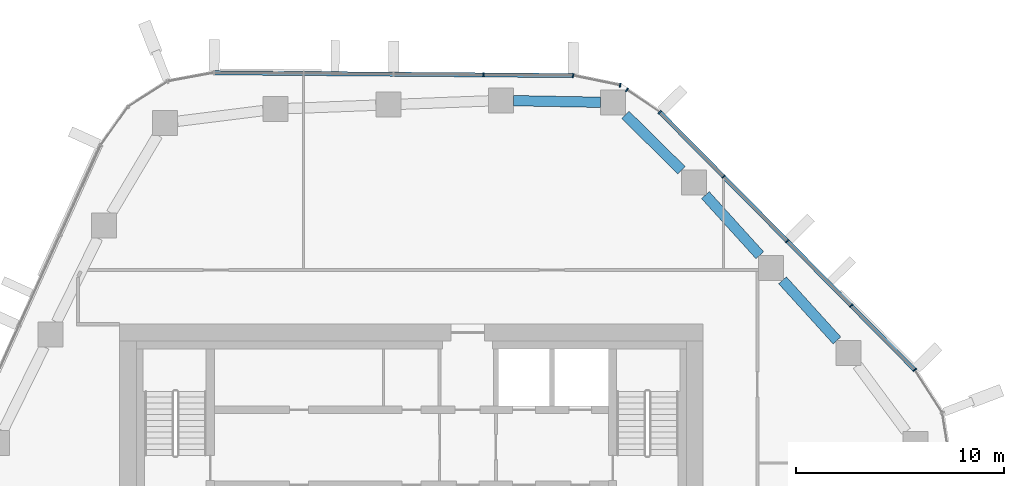
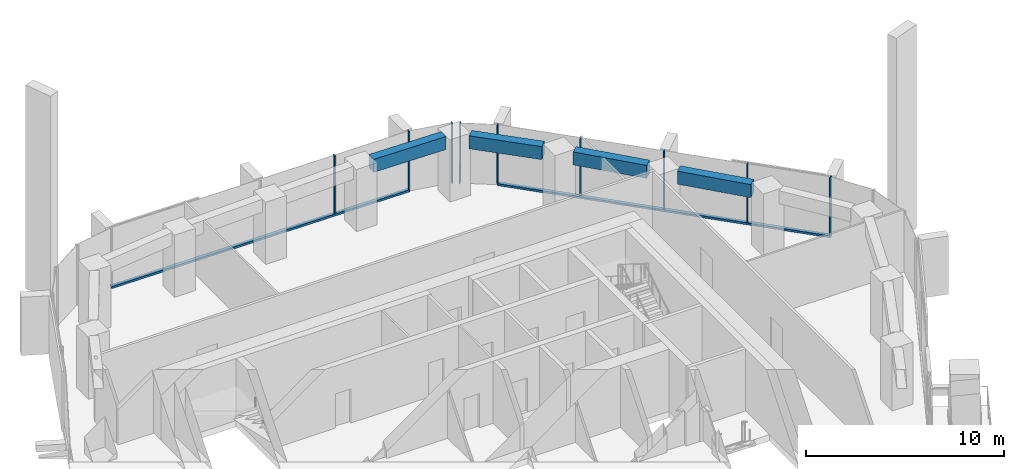
# One storey, part 6 of 18: 11 members, 4 beams, 5 elements without a shape of their own.
"""IFC4 building model written with IfcOpenShell, lengths in metres."""

from ifc_helpers import new_model, si_unit, direction, frame, origin, origin_2d, place, context, subcontext, project, spatial, rectangle, extrude, material, layer, layer_set, material_profile, profile_set, type_object, element, aggregate, save


model = new_model("IFC4")

# Units and contexts
model_context = context("Model", 3, precision=1e-05, world=origin(), true_north=direction((0.0, 1.0)))
body_context = subcontext(model_context, "Body", "Model", "MODEL_VIEW")
ifc_project = project(units=[si_unit("LENGTHUNIT", "METRE"), si_unit("AREAUNIT", "SQUARE_METRE"), si_unit("VOLUMEUNIT", "CUBIC_METRE"), si_unit("PLANEANGLEUNIT", "RADIAN"), si_unit("MASSUNIT", "GRAM", prefix="KILO")], contexts=[model_context])

# Site, building, storey
site_placement = place(None, origin())
site = spatial("IfcSite", under=ifc_project, at=site_placement, CompositionType="ELEMENT")
building_placement = place(site_placement, origin())
building = spatial("IfcBuilding", under=site, at=building_placement, Name="Dongbaek Canopy Tower", CompositionType="ELEMENT")
storey_placement = place(building_placement, frame((0.0, 0.0, 171.199951171875)))
storey = spatial("IfcBuildingStorey", under=building, at=storey_placement, Name="L37", CompositionType="ELEMENT", Elevation=171.199951171875)

# Curtain wall, member
ifc_material_1 = material(Name="Aluminium 6063-T6 pale anodised", Category="aluminium")
ifc_layer = layer(ifc_material_1, 0.199951171875)
ifc_layer_set = layer_set([ifc_layer], Name="CW-1 unitised tower curtain wall")
curtain_wall_type = type_object("IfcCurtainWallType", Name="CW-1 unitised tower curtain wall", PredefinedType="NOTDEFINED", material=ifc_layer_set)
curtain_wall_1_placement = place(storey_placement, origin())
curtain_wall_1 = element("IfcCurtainWall", 1, at=curtain_wall_1_placement, inside=storey, type_object=curtain_wall_type, Name="CW-1 curtain wall K0.1", PredefinedType="NOTDEFINED")
ifc_material_2 = material(Name="Aluminium 6063-T6 pale anodised", Category="aluminium")
ifc_material_profile_1 = material_profile(ifc_material_2, rectangle(XDim=0.199951171875, YDim=0.06005859375, at=origin_2d()), Name="CW-1 mullion 60 x 200")
ifc_profile_set_1 = profile_set([ifc_material_profile_1], Name="Aluminium 6063-T6 pale anodised")
member_type_1 = type_object("IfcMemberType", Name="CW-1 mullion 60 x 200", PredefinedType="MULLION", material=ifc_profile_set_1)
member_1_placement = place(storey_placement, frame((24.14794921875, 8.80712890625, 0.0), z_axis=(0.0, 0.0, 1.0), x_axis=(0.840961641998, 0.541094739105, 0.0)))
member_1 = element("IfcMember", 2, at=member_1_placement, type_object=member_type_1, Name="CW-1 mullion K0.1.4", PredefinedType="MULLION", context=body_context, shape_type="SweptSolid", body=[
    extrude(rectangle(XDim=0.199951171875, YDim=0.06005859375, at=origin_2d()), origin(), (0.0, 0.0, 1.0), 3.699951171875),
])
aggregate(curtain_wall_1, [member_1])

# Curtain wall, members
curtain_wall_2_placement = place(storey_placement, origin())
curtain_wall_2 = element("IfcCurtainWall", 3, at=curtain_wall_2_placement, inside=storey, type_object=curtain_wall_type, Name="CW-1 curtain wall F0.1", PredefinedType="NOTDEFINED")
member_2_placement = place(storey_placement, frame((21.094970703125, 11.893798828125, 0.1201171875), z_axis=(0.0, 0.0, 1.0), x_axis=(0.710991357912, 0.703200745857, 0.0)))
member_2 = element("IfcMember", 4, at=member_2_placement, type_object=member_type_1, Name="CW-1 mullion F0.1.2", PredefinedType="MULLION", context=body_context, shape_type="SweptSolid", body=[
    extrude(rectangle(XDim=0.199951171875, YDim=0.06005859375, at=origin_2d()), origin(), (0.0, 0.0, 1.0), 3.579833984375),
])
member_3_placement = place(storey_placement, frame((18.034912109375, 14.988037109375, 0.1201171875), z_axis=(0.0, 0.0, 1.0), x_axis=(0.710991357912, 0.703200745857, 0.0)))
member_3 = element("IfcMember", 5, at=member_3_placement, type_object=member_type_1, Name="CW-1 mullion F0.1.3", PredefinedType="MULLION", context=body_context, shape_type="SweptSolid", body=[
    extrude(rectangle(XDim=0.199951171875, YDim=0.06005859375, at=origin_2d()), origin(), (0.0, 0.0, 1.0), 3.579833984375),
])
member_4_placement = place(storey_placement, frame((14.974609375, 18.08203125, 0.1201171875), z_axis=(0.0, 0.0, 1.0), x_axis=(0.710991357912, 0.703200745857, 0.0)))
member_4 = element("IfcMember", 6, at=member_4_placement, type_object=member_type_1, Name="CW-1 mullion F0.1.4", PredefinedType="MULLION", context=body_context, shape_type="SweptSolid", body=[
    extrude(rectangle(XDim=0.199951171875, YDim=0.06005859375, at=origin_2d()), origin(), (0.0, 0.0, 1.0), 3.579833984375),
])
member_5_placement = place(storey_placement, frame((11.92138671875, 21.169189453125, 0.1201171875), z_axis=(0.0, 0.0, 1.0), x_axis=(0.710991357912, 0.703200745857, 0.0)))
member_5 = element("IfcMember", 7, at=member_5_placement, type_object=member_type_1, Name="CW-1 mullion F0.1.5", PredefinedType="MULLION", context=body_context, shape_type="SweptSolid", body=[
    extrude(rectangle(XDim=0.199951171875, YDim=0.06005859375, at=origin_2d()), origin(), (0.0, 0.0, 1.0), 3.579833984375),
])

# Curtain wall, member
curtain_wall_3_placement = place(storey_placement, origin())
curtain_wall_3 = element("IfcCurtainWall", 8, at=curtain_wall_3_placement, inside=storey, type_object=curtain_wall_type, Name="CW-1 curtain wall K1.1a", PredefinedType="NOTDEFINED")
member_6_placement = place(storey_placement, frame((10.3388671875, 22.240478515625, 0.0), z_axis=(0.0, 0.0, 1.0), x_axis=(0.560626417041, 0.828068850106, 0.0)))
member_6 = element("IfcMember", 9, at=member_6_placement, type_object=member_type_1, Name="CW-1 mullion K1.1a.2", PredefinedType="MULLION", context=body_context, shape_type="SweptSolid", body=[
    extrude(rectangle(XDim=0.199951171875, YDim=0.06005859375, at=origin_2d()), origin(), (0.0, 0.0, 1.0), 3.699951171875),
])
aggregate(curtain_wall_3, [member_6])

# Curtain wall, members
curtain_wall_4_placement = place(storey_placement, origin())
curtain_wall_4 = element("IfcCurtainWall", 10, at=curtain_wall_4_placement, inside=storey, type_object=curtain_wall_type, Name="CW-1 curtain wall K1.1b", PredefinedType="NOTDEFINED")
member_7_placement = place(storey_placement, frame((10.012939453125, 22.461181640625, 0.0), z_axis=(0.0, 0.0, 1.0), x_axis=(0.202208307545, 0.979342534744, 0.0)))
member_7 = element("IfcMember", 11, at=member_7_placement, type_object=member_type_1, Name="CW-1 mullion K1.1b.1", PredefinedType="MULLION", context=body_context, shape_type="SweptSolid", body=[
    extrude(rectangle(XDim=0.199951171875, YDim=0.06005859375, at=origin_2d()), origin(), (0.0, 0.0, 1.0), 3.699951171875),
])
member_8_placement = place(storey_placement, frame((7.756103515625, 22.92724609375, 0.0), z_axis=(0.0, 0.0, 1.0), x_axis=(0.202208307545, 0.979342534744, 0.0)))
member_8 = element("IfcMember", 12, at=member_8_placement, type_object=member_type_1, Name="CW-1 mullion K1.1b.2", PredefinedType="MULLION", context=body_context, shape_type="SweptSolid", body=[
    extrude(rectangle(XDim=0.199951171875, YDim=0.06005859375, at=origin_2d()), origin(), (0.0, 0.0, 1.0), 3.699951171875),
])
aggregate(curtain_wall_4, [member_7, member_8])

# Curtain wall, member
curtain_wall_5_placement = place(storey_placement, origin())
curtain_wall_5 = element("IfcCurtainWall", 13, at=curtain_wall_5_placement, inside=storey, type_object=curtain_wall_type, Name="CW-1 curtain wall F1.1", PredefinedType="NOTDEFINED")
member_9_placement = place(storey_placement, frame((3.452880859375, 22.9609375, 0.1201171875), z_axis=(0.0, 0.0, 1.0), x_axis=(0.007847305301, 0.999969209426, 0.0)))
member_9 = element("IfcMember", 14, at=member_9_placement, type_object=member_type_1, Name="CW-1 mullion F1.1.2", PredefinedType="MULLION", context=body_context, shape_type="SweptSolid", body=[
    extrude(rectangle(XDim=0.199951171875, YDim=0.06005859375, at=origin_2d()), origin(), (0.0, 0.0, 1.0), 3.579833984375),
])

# Member
ifc_material_3 = material(Name="Aluminium 6063-T6 pale anodised", Category="aluminium")
ifc_material_profile_2 = material_profile(ifc_material_3, rectangle(XDim=0.199951171875, YDim=0.1201171875, at=origin_2d()), Name="CW-1 transom 120 x 200")
ifc_profile_set_2 = profile_set([ifc_material_profile_2], Name="Aluminium 6063-T6 pale anodised")
member_type_2 = type_object("IfcMemberType", Name="CW-1 transom 120 x 200", PredefinedType="USERDEFINED", material=ifc_profile_set_2)
member_10_placement = place(storey_placement, frame((24.14794921875, 8.80712890625, 0.06005859375), z_axis=(-0.703199522268, 0.710992568092, 0.0), x_axis=(-0.710992568092, -0.703199522268, 0.0)))
member_10 = element("IfcMember", 15, at=member_10_placement, type_object=member_type_2, Name="CW-1 transom F0.1.1", ObjectType="TRANSOM", PredefinedType="USERDEFINED", context=body_context, shape_type="SweptSolid", body=[
    extrude(rectangle(XDim=0.199951171875, YDim=0.1201171875, at=origin_2d()), origin(), (0.0, 0.0, 1.0), 17.386962890625),
])

aggregate(curtain_wall_2, [member_2, member_3, member_4, member_5, member_10])

member_11_placement = place(storey_placement, frame((7.756103515625, 22.92724609375, 0.06005859375), z_axis=(-0.999969201304, 0.007848340146, 0.0), x_axis=(-0.007848340146, -0.999969201304, 0.0)))
member_11 = element("IfcMember", 16, at=member_11_placement, type_object=member_type_2, Name="CW-1 transom F1.1.1", ObjectType="TRANSOM", PredefinedType="USERDEFINED", context=body_context, shape_type="SweptSolid", body=[
    extrude(rectangle(XDim=0.199951171875, YDim=0.1201171875, at=origin_2d()), origin(), (0.0, 0.0, 1.0), 17.2333984375),
])

aggregate(curtain_wall_5, [member_9, member_11])

# Beams
ifc_material_4 = material(Name="Concrete C70", Category="concrete")
ifc_material_profile_3 = material_profile(ifc_material_4, rectangle(XDim=0.5, YDim=0.800048828125, at=origin_2d()), Name="RC EDGE BEAM 500x800 C70")
ifc_profile_set_3 = profile_set([ifc_material_profile_3], Name="Concrete C70")
beam_type = type_object("IfcBeamType", Name="RC EDGE BEAM 500x800 C70", PredefinedType="BEAM", material=ifc_profile_set_3)
beam_1_placement = place(storey_placement, frame((4.89501953125, 21.724609375, 3.420166015625), z_axis=(0.999823523871, -0.018786194753, 0.0), x_axis=(0.018786194753, 0.999823523871, 0.0)))
element("IfcBeam", 17, at=beam_1_placement, inside=storey, type_object=beam_type, Name="EDGEBEAM:L37:16", PredefinedType="BEAM", context=body_context, shape_type="SweptSolid", body=[
    extrude(rectangle(XDim=0.5, YDim=0.800048828125, at=origin_2d()), origin(), (0.0, 0.0, 1.0), 4.171630859375),
])
beam_2_placement = place(storey_placement, frame((10.26611328125, 21.04296875, 3.420166015625), z_axis=(0.711703560094, -0.702479923236, 0.0), x_axis=(0.702479923236, 0.711703560094, 0.0)))
element("IfcBeam", 18, at=beam_2_placement, inside=storey, type_object=beam_type, Name="EDGEBEAM:L37:17", PredefinedType="BEAM", context=body_context, shape_type="SweptSolid", body=[
    extrude(rectangle(XDim=0.5, YDim=0.800048828125, at=origin_2d()), origin(), (0.0, 0.0, 1.0), 3.78515625),
])
beam_3_placement = place(storey_placement, frame((14.103515625, 17.19189453125, 3.420166015625), z_axis=(0.67132037677, -0.741167289978, 0.0), x_axis=(0.741167289978, 0.67132037677, 0.0)))
element("IfcBeam", 19, at=beam_3_placement, inside=storey, type_object=beam_type, Name="EDGEBEAM:L37:18", PredefinedType="BEAM", context=body_context, shape_type="SweptSolid", body=[
    extrude(rectangle(XDim=0.5, YDim=0.800048828125, at=origin_2d()), origin(), (0.0, 0.0, 1.0), 3.893798828125),
])
beam_4_placement = place(storey_placement, frame((17.80419921875, 13.10595703125, 3.420166015625), z_axis=(0.671238468475, -0.741241471074, 0.0), x_axis=(0.741241471074, 0.671238468475, 0.0)))
element("IfcBeam", 20, at=beam_4_placement, inside=storey, type_object=beam_type, Name="EDGEBEAM:L37:19", PredefinedType="BEAM", context=body_context, shape_type="SweptSolid", body=[
    extrude(rectangle(XDim=0.5, YDim=0.800048828125, at=origin_2d()), origin(), (0.0, 0.0, 1.0), 3.89208984375),
])

save(model, "model.ifc")
